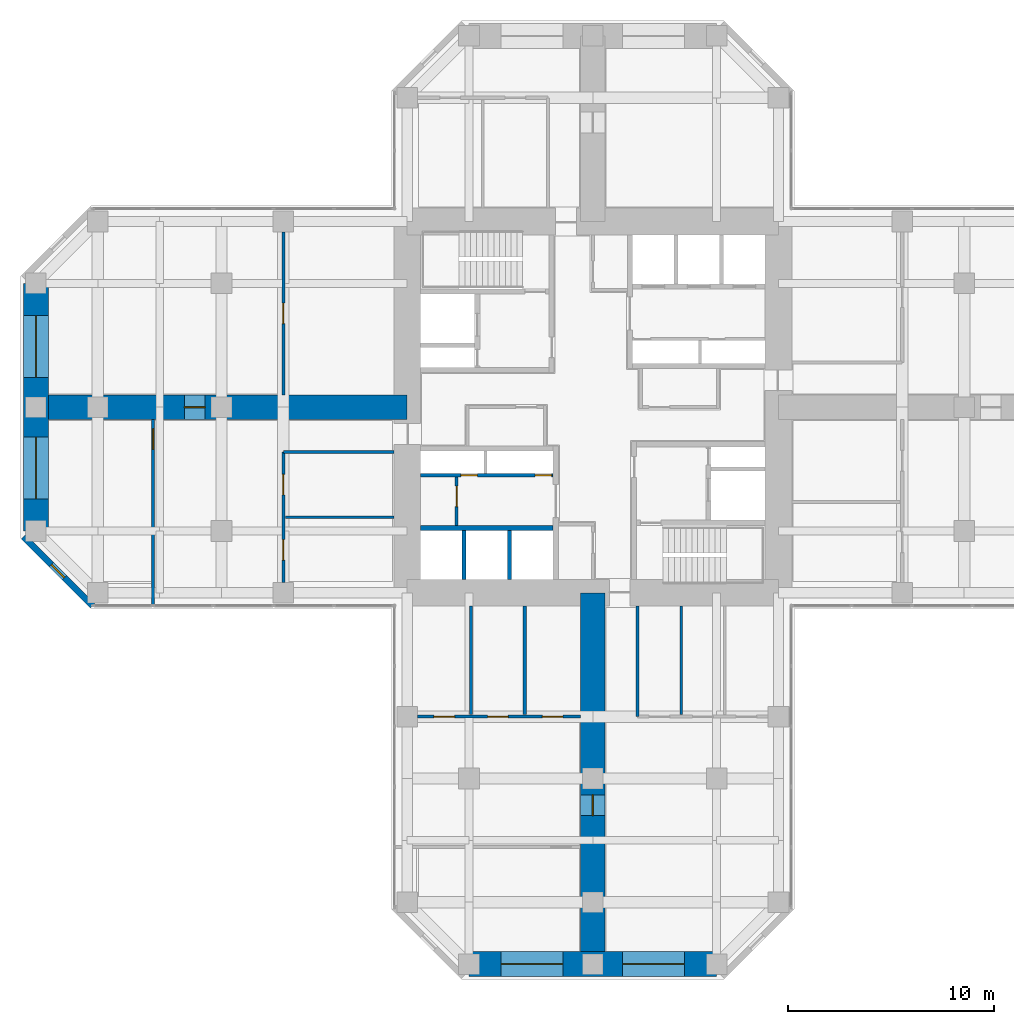
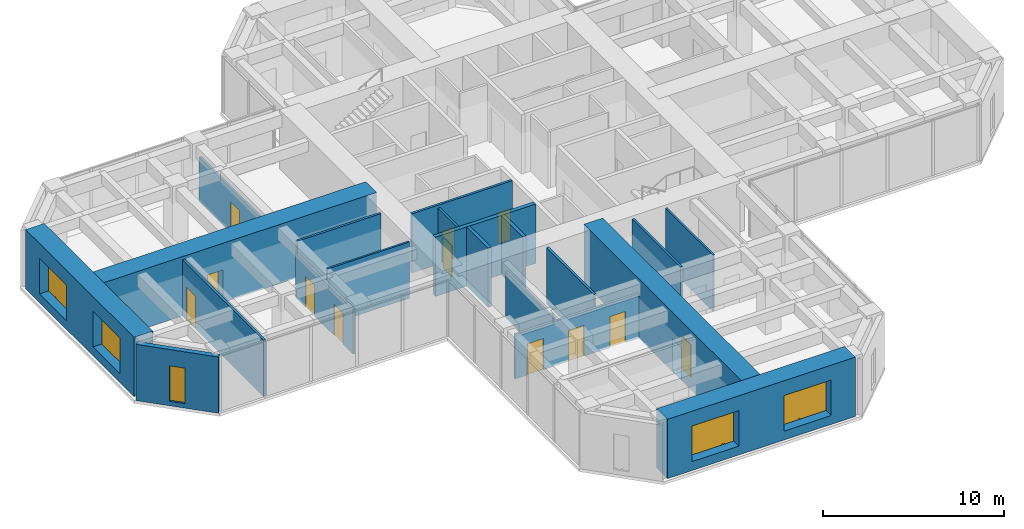
# One storey, part 8 of 12: 20 walls, 12 doors, 5 windows, 17 openings.
"""IFC4 building model written with IfcOpenShell, lengths in metres."""

from ifc_helpers import new_model, si_unit, direction, frame, frame_2d, origin, place, context, subcontext, project, spatial, rectangle, hollow_rectangle, extrude, material, layer, layer_set, constituent, constituent_set, type_object, element, fill, save


model = new_model("IFC4")

# Units and contexts
model_context = context("Model", 3, precision=1e-05, world=origin(), true_north=direction((0.0, 1.0)))
body_context = subcontext(model_context, "Body", "Model", "MODEL_VIEW")
ifc_project = project(units=[si_unit("LENGTHUNIT", "METRE"), si_unit("AREAUNIT", "SQUARE_METRE"), si_unit("VOLUMEUNIT", "CUBIC_METRE"), si_unit("PLANEANGLEUNIT", "RADIAN"), si_unit("MASSUNIT", "GRAM", prefix="KILO")], contexts=[model_context])

# Site, building, storey
site_placement = place(None, origin())
site = spatial("IfcSite", under=ifc_project, at=site_placement, CompositionType="ELEMENT")
building_placement = place(site_placement, origin())
building = spatial("IfcBuilding", under=site, at=building_placement, Name="Torre Cruceta", CompositionType="ELEMENT")
storey_placement = place(building_placement, frame((0.0, 0.0, 136.5)))
storey = spatial("IfcBuildingStorey", under=building, at=storey_placement, Name="L33", CompositionType="ELEMENT", Elevation=136.5)

# Wall
ifc_material_1 = material(Name="Concrete G60 (fck 60 MPa)", Category="concrete")
ifc_layer_1 = layer(ifc_material_1, 0.25)
ifc_layer_set_1 = layer_set([ifc_layer_1], Name="Concrete G60 (fck 60 MPa)")
wall_type_1 = type_object("IfcWallType", Name="CORE INNER WALL 250 G60", PredefinedType="SHEAR", material=ifc_layer_set_1)
wall_1_placement = place(storey_placement, frame((-1.925048828125, -5.85009765625, 0.0), z_axis=(0.0, 0.0, 1.0), x_axis=(-1.0, 0.0, 0.0)))
element("IfcWall", 1, at=wall_1_placement, inside=storey, type_object=wall_type_1, Name="CW4 L33 SW-LV", PredefinedType="SHEAR", context=body_context, shape_type="SweptSolid", body=[
    extrude(rectangle(XDim=6.425048828125, YDim=0.25, at=frame_2d((3.21240234375, 0.0))), origin(), (0.0, 0.0, 1.0), 4.0),
])

# Wall, opening, window
ifc_material_2 = material(Name="Concrete G30 (fck 30 MPa)", Category="concrete")
ifc_layer_2 = layer(ifc_material_2, 0.300048828125)
ifc_layer_set_2 = layer_set([ifc_layer_2], Name="Concrete G30 (fck 30 MPa)")
wall_type_2 = type_object("IfcWallType", Name="EXPOSED CONCRETE FACADE WALL 300", PredefinedType="SOLIDWALL", material=ifc_layer_set_2)
wall_2_placement = place(storey_placement, frame((-27.60009765625, -6.27685546875, 0.0), z_axis=(0.0, 0.0, 1.0), x_axis=(0.707106781187, -0.707106781187, 0.0)))
wall_2 = element("IfcWall", 2, at=wall_2_placement, inside=storey, type_object=wall_type_2, Name="EW1 facade wall L33 W chamfer 13", PredefinedType="SOLIDWALL", context=body_context, shape_type="SweptSolid", body=[
    extrude(rectangle(XDim=4.72802734375, YDim=0.300048828125, at=frame_2d((2.364013671875, 0.0))), origin(), (0.0, 0.0, 1.0), 3.800048828125),
])
opening_1_placement = place(wall_2_placement, frame((1.9140625, 0.0, 0.300048828125)))
opening_1 = element("IfcOpeningElement", 3, at=opening_1_placement, cuts=wall_2, Name="Opening WN5", PredefinedType="OPENING", context=body_context, shape_type="SweptSolid", body=[
    extrude(rectangle(XDim=0.89990234375, YDim=2.39990234375, at=frame_2d((0.449951171875, 1.199951171875))), frame((0.0, 0.159912109375, 0.0), z_axis=(0.0, -1.0, 0.0), x_axis=(1.0, 0.0, 0.0)), (0.0, 0.0, 1.0), 0.320068359375),
])
ifc_material_3 = material(Name="Aluminium window frame", Category="aluminium")
ifc_constituent_1 = constituent(ifc_material_3, Name="Frame")
ifc_material_4 = material(Name="Laminated insulating glass unit, low-iron clear", Category="glass")
ifc_constituent_2 = constituent(ifc_material_4, Name="Glazing")
ifc_constituent_set_1 = constituent_set(constituents=[ifc_constituent_1, ifc_constituent_2], Name="Aluminium window")
window_type_1 = type_object("IfcWindowType", Name="CHAMFER SLOT WINDOW 900X2400", PartitioningType="SINGLE_PANEL", PredefinedType="WINDOW", material=ifc_constituent_set_1)
window_1_placement = place(opening_1_placement, origin())
window_1 = element("IfcWindow", 4, at=window_1_placement, inside=storey, type_object=window_type_1, Name="WN5 L33 W 1", OverallHeight=2.39990234375, OverallWidth=0.89990234375, PartitioningType="SINGLE_PANEL", PredefinedType="WINDOW", context=body_context, shape_type="SweptSolid", body=[
    extrude(hollow_rectangle(XDim=0.89990234375, YDim=2.39990234375, WallThickness=0.06005859375, at=frame_2d((0.449951171875, 1.199951171875))), frame((0.0, 0.030029296875, 0.0), z_axis=(0.0, -1.0, 0.0), x_axis=(1.0, 0.0, 0.0)), (0.0, 0.0, 1.0), 0.06005859375),
    extrude(rectangle(XDim=0.77880859375, YDim=2.27880859375, at=frame_2d((0.449951171875, 1.199951171875))), frame((0.0, 0.030029296875, 0.0), z_axis=(0.0, -1.0, 0.0), x_axis=(1.0, 0.0, 0.0)), (0.0, 0.0, 1.0), 0.06005859375),
])
fill(opening_1, window_1)

# Walls
ifc_material_5 = material(Name="Concrete G35 (fck 35 MPa)", Category="concrete")
ifc_layer_3 = layer(ifc_material_5, 0.199951171875)
ifc_layer_set_3 = layer_set([ifc_layer_3], Name="Concrete G35 (fck 35 MPa)")
wall_type_3 = type_object("IfcWallType", Name="LIFT SHAFT WALL 200", PredefinedType="PARTITIONING", material=ifc_layer_set_3)
for number, where, z_axis, x_axis, name in (
    (5, (-4.033447265625, -5.97509765625, 0.0), (0.0, 0.0, 1.0), (0.0, -1.0, 0.0), "SW1 L33 SW-LS1"),
    (6, (-6.24169921875, -5.97509765625, 0.0), (0.0, 0.0, 1.0), (0.0, -1.0, 0.0), "SW1 L33 SW-LS2"),
):
    element("IfcWall", number, at=place(storey_placement, frame(where, z_axis=z_axis, x_axis=x_axis)), inside=storey, type_object=wall_type_3, Name=name, PredefinedType="PARTITIONING", context=body_context, shape_type="SweptSolid", body=[
        extrude(rectangle(XDim=2.375, YDim=0.199951171875, at=frame_2d((1.1875, 0.0))), origin(), (0.0, 0.0, 1.0), 4.0),
    ])

# Wall, openings, windows
ifc_material_6 = material(Name="Concrete G60 (fck 60 MPa)", Category="concrete")
ifc_layer_4 = layer(ifc_material_6, 1.199951171875)
ifc_layer_set_4 = layer_set([ifc_layer_4], Name="Concrete G60 (fck 60 MPa)")
wall_type_4 = type_object("IfcWallType", Name="NOSE WALL 1200 G60", PredefinedType="SHEAR", material=ifc_layer_set_4)
wall_3_placement = place(storey_placement, frame((-6.0, -27.0, 0.0), z_axis=(0.0, 0.0, 1.0), x_axis=(1.0, 0.0, 0.0)))
wall_3 = element("IfcWall", 7, at=wall_3_placement, inside=storey, type_object=wall_type_4, Name="NW1 nose wall L33 S", PredefinedType="SHEAR", context=body_context, shape_type="SweptSolid", body=[
    extrude(rectangle(XDim=12.0, YDim=1.199951171875, at=frame_2d((6.0, 0.0))), origin(), (0.0, 0.0, 1.0), 4.0),
])
opening_2_placement = place(wall_3_placement, frame((1.550048828125, 0.0, 0.60009765625)))
opening_2 = element("IfcOpeningElement", 8, at=opening_2_placement, cuts=wall_3, Name="Opening WN6", PredefinedType="OPENING", context=body_context, shape_type="SweptSolid", body=[
    extrude(rectangle(XDim=3.0, YDim=2.39990234375, at=frame_2d((1.5, 1.199951171875))), frame((0.0, 0.60986328125, 0.0), z_axis=(0.0, -1.0, 0.0), x_axis=(1.0, 0.0, 0.0)), (0.0, 0.0, 1.0), 1.219970703125),
])
opening_3_placement = place(wall_3_placement, frame((7.449951171875, 0.0, 0.60009765625)))
opening_3 = element("IfcOpeningElement", 9, at=opening_3_placement, cuts=wall_3, Name="Opening WN6", PredefinedType="OPENING", context=body_context, shape_type="SweptSolid", body=[
    extrude(rectangle(XDim=3.0, YDim=2.39990234375, at=frame_2d((1.5, 1.199951171875))), frame((0.0, 0.60986328125, 0.0), z_axis=(0.0, -1.0, 0.0), x_axis=(1.0, 0.0, 0.0)), (0.0, 0.0, 1.0), 1.219970703125),
])
ifc_material_7 = material(Name="Aluminium window frame", Category="aluminium")
ifc_constituent_3 = constituent(ifc_material_7, Name="Frame")
ifc_material_8 = material(Name="Laminated insulating glass unit, low-iron clear", Category="glass")
ifc_constituent_4 = constituent(ifc_material_8, Name="Glazing")
ifc_constituent_set_2 = constituent_set(constituents=[ifc_constituent_3, ifc_constituent_4], Name="Aluminium window")
window_type_2 = type_object("IfcWindowType", Name="NOSE WALL WINDOW 3000X2400", PartitioningType="SINGLE_PANEL", PredefinedType="WINDOW", material=ifc_constituent_set_2)
window_2_placement = place(opening_2_placement, origin())
window_2 = element("IfcWindow", 10, at=window_2_placement, inside=storey, type_object=window_type_2, Name="WN6 L33 S 1", OverallHeight=2.39990234375, OverallWidth=3.0, PartitioningType="SINGLE_PANEL", PredefinedType="WINDOW", context=body_context, shape_type="SweptSolid", body=[
    extrude(hollow_rectangle(XDim=3.0, YDim=2.39990234375, WallThickness=0.06005859375, at=frame_2d((1.5, 1.199951171875))), frame((0.0, 0.030029296875, 0.0), z_axis=(0.0, -1.0, 0.0), x_axis=(1.0, 0.0, 0.0)), (0.0, 0.0, 1.0), 0.06005859375),
    extrude(rectangle(XDim=2.87890625, YDim=2.27880859375, at=frame_2d((1.5, 1.199951171875))), frame((0.0, 0.030029296875, 0.0), z_axis=(0.0, -1.0, 0.0), x_axis=(1.0, 0.0, 0.0)), (0.0, 0.0, 1.0), 0.06005859375),
])
fill(opening_2, window_2)
window_3_placement = place(opening_3_placement, origin())
window_3 = element("IfcWindow", 11, at=window_3_placement, inside=storey, type_object=window_type_2, Name="WN6 L33 S 2", OverallHeight=2.39990234375, OverallWidth=3.0, PartitioningType="SINGLE_PANEL", PredefinedType="WINDOW", context=body_context, shape_type="SweptSolid", body=[
    extrude(hollow_rectangle(XDim=3.0, YDim=2.39990234375, WallThickness=0.06005859375, at=frame_2d((1.5, 1.199951171875))), frame((0.0, 0.030029296875, 0.0), z_axis=(0.0, -1.0, 0.0), x_axis=(1.0, 0.0, 0.0)), (0.0, 0.0, 1.0), 0.06005859375),
    extrude(rectangle(XDim=2.87890625, YDim=2.27880859375, at=frame_2d((1.5, 1.199951171875))), frame((0.0, 0.030029296875, 0.0), z_axis=(0.0, -1.0, 0.0), x_axis=(1.0, 0.0, 0.0)), (0.0, 0.0, 1.0), 0.06005859375),
])
fill(opening_3, window_3)

wall_4_placement = place(storey_placement, frame((-27.0, 6.0, 0.0), z_axis=(0.0, 0.0, 1.0), x_axis=(0.0, -1.0, 0.0)))
wall_4 = element("IfcWall", 12, at=wall_4_placement, inside=storey, type_object=wall_type_4, Name="NW1 nose wall L33 W", PredefinedType="SHEAR", context=body_context, shape_type="SweptSolid", body=[
    extrude(rectangle(XDim=12.0, YDim=1.199951171875, at=frame_2d((6.0, 0.0))), origin(), (0.0, 0.0, 1.0), 4.0),
])
opening_4_placement = place(wall_4_placement, frame((1.550048828125, 0.0, 0.60009765625)))
opening_4 = element("IfcOpeningElement", 13, at=opening_4_placement, cuts=wall_4, Name="Opening WN6", PredefinedType="OPENING", context=body_context, shape_type="SweptSolid", body=[
    extrude(rectangle(XDim=3.0, YDim=2.39990234375, at=frame_2d((1.5, 1.199951171875))), frame((0.0, 0.60986328125, 0.0), z_axis=(0.0, -1.0, 0.0), x_axis=(1.0, 0.0, 0.0)), (0.0, 0.0, 1.0), 1.219970703125),
])
opening_5_placement = place(wall_4_placement, frame((7.449951171875, 0.0, 0.60009765625)))
opening_5 = element("IfcOpeningElement", 14, at=opening_5_placement, cuts=wall_4, Name="Opening WN6", PredefinedType="OPENING", context=body_context, shape_type="SweptSolid", body=[
    extrude(rectangle(XDim=3.0, YDim=2.39990234375, at=frame_2d((1.5, 1.199951171875))), frame((0.0, 0.60986328125, 0.0), z_axis=(0.0, -1.0, 0.0), x_axis=(1.0, 0.0, 0.0)), (0.0, 0.0, 1.0), 1.219970703125),
])
window_4_placement = place(opening_4_placement, origin())
window_4 = element("IfcWindow", 15, at=window_4_placement, inside=storey, type_object=window_type_2, Name="WN6 L33 W 1", OverallHeight=2.39990234375, OverallWidth=3.0, PartitioningType="SINGLE_PANEL", PredefinedType="WINDOW", context=body_context, shape_type="SweptSolid", body=[
    extrude(hollow_rectangle(XDim=3.0, YDim=2.39990234375, WallThickness=0.06005859375, at=frame_2d((1.5, 1.199951171875))), frame((0.0, 0.030029296875, 0.0), z_axis=(0.0, -1.0, 0.0), x_axis=(1.0, 0.0, 0.0)), (0.0, 0.0, 1.0), 0.06005859375),
    extrude(rectangle(XDim=2.87890625, YDim=2.27880859375, at=frame_2d((1.5, 1.199951171875))), frame((0.0, 0.030029296875, 0.0), z_axis=(0.0, -1.0, 0.0), x_axis=(1.0, 0.0, 0.0)), (0.0, 0.0, 1.0), 0.06005859375),
])
fill(opening_4, window_4)
window_5_placement = place(opening_5_placement, origin())
window_5 = element("IfcWindow", 16, at=window_5_placement, inside=storey, type_object=window_type_2, Name="WN6 L33 W 2", OverallHeight=2.39990234375, OverallWidth=3.0, PartitioningType="SINGLE_PANEL", PredefinedType="WINDOW", context=body_context, shape_type="SweptSolid", body=[
    extrude(hollow_rectangle(XDim=3.0, YDim=2.39990234375, WallThickness=0.06005859375, at=frame_2d((1.5, 1.199951171875))), frame((0.0, 0.030029296875, 0.0), z_axis=(0.0, -1.0, 0.0), x_axis=(1.0, 0.0, 0.0)), (0.0, 0.0, 1.0), 0.06005859375),
    extrude(rectangle(XDim=2.87890625, YDim=2.27880859375, at=frame_2d((1.5, 1.199951171875))), frame((0.0, 0.030029296875, 0.0), z_axis=(0.0, -1.0, 0.0), x_axis=(1.0, 0.0, 0.0)), (0.0, 0.0, 1.0), 0.06005859375),
])
fill(opening_5, window_5)

# Wall, opening, door
ifc_material_9 = material(Name="Plasterboard on steel studs", Category="steel")
ifc_layer_5 = layer(ifc_material_9, 0.14990234375)
ifc_layer_set_5 = layer_set([ifc_layer_5], Name="Plasterboard on steel studs")
wall_type_5 = type_object("IfcWallType", Name="PARTITION 150", PredefinedType="PARTITIONING", material=ifc_layer_set_5)
wall_5_placement = place(storey_placement, frame((-6.60009765625, -3.375, 0.0), z_axis=(0.0, 0.0, 1.0), x_axis=(0.0, -1.0, 0.0)))
wall_5 = element("IfcWall", 17, at=wall_5_placement, inside=storey, type_object=wall_type_5, Name="PT1 L33-CORE-SW-X", PredefinedType="PARTITIONING", context=body_context, shape_type="SweptSolid", body=[
    extrude(rectangle(XDim=2.35009765625, YDim=0.14990234375, at=frame_2d((1.175048828125, 0.0))), origin(), (0.0, 0.0, 1.0), 3.800048828125),
])
opening_6_placement = place(wall_5_placement, frame((0.449951171875, 0.0, 0.0)))
opening_6 = element("IfcOpeningElement", 18, at=opening_6_placement, cuts=wall_5, Name="Opening D3", PredefinedType="OPENING", context=body_context, shape_type="SweptSolid", body=[
    extrude(rectangle(XDim=1.0, YDim=2.10009765625, at=frame_2d((0.5, 1.050048828125))), frame((0.0, 0.0849609375, 0.0), z_axis=(0.0, -1.0, 0.0), x_axis=(1.0, 0.0, 0.0)), (0.0, 0.0, 1.0), 0.169921875),
])
ifc_material_10 = material(Name="Steel DX51D", Category="steel")
ifc_constituent_5 = constituent(ifc_material_10, Name="Leaf and frame")
ifc_material_11 = material(Name="Polyester powder coating", Category="paint")
ifc_constituent_6 = constituent(ifc_material_11, Name="Finish")
ifc_constituent_set_3 = constituent_set(constituents=[ifc_constituent_5, ifc_constituent_6], Name="Steel fire door")
door_type_1 = type_object("IfcDoorType", Name="FIRE DOOR 1000X2100", OperationType="SINGLE_SWING_LEFT", PredefinedType="DOOR", material=ifc_constituent_set_3)
door_1_placement = place(opening_6_placement, frame((1.0, 0.0, 0.0), z_axis=(0.0, 0.0, 1.0), x_axis=(-1.0, 0.0, 0.0)))
door_1 = element("IfcDoor", 19, at=door_1_placement, inside=storey, type_object=door_type_1, Name="D3 L33-CORE-SW-X-D1", OperationType="SINGLE_SWING_RIGHT", OverallHeight=2.10009765625, OverallWidth=1.0, PredefinedType="DOOR", context=body_context, shape_type="SweptSolid", body=[
    extrude(rectangle(XDim=1.0, YDim=2.10009765625, at=frame_2d((0.5, 1.050048828125))), frame((0.0, 0.025146484375, 0.0), z_axis=(0.0, -1.0, 0.0), x_axis=(1.0, 0.0, 0.0)), (0.0, 0.0, 1.0), 0.050048828125),
])
fill(opening_6, door_1)

# Wall
wall_6_placement = place(storey_placement, frame((2.175048828125, -9.64990234375, 0.0), z_axis=(0.0, 0.0, 1.0), x_axis=(0.0, -1.0, 0.0)))
element("IfcWall", 20, at=wall_6_placement, inside=storey, type_object=wall_type_5, Name="PT1 L33-S-BSL", PredefinedType="PARTITIONING", context=body_context, shape_type="SweptSolid", body=[
    extrude(rectangle(XDim=5.35009765625, YDim=0.14990234375, at=frame_2d((2.675048828125, 0.0))), origin(), (0.0, 0.0, 1.0), 3.800048828125),
])

# Wall, openings, doors
wall_7_placement = place(storey_placement, frame((-8.5, -15.0, 0.0), z_axis=(0.0, 0.0, 1.0), x_axis=(1.0, 0.0, 0.0)))
wall_7 = element("IfcWall", 21, at=wall_7_placement, inside=storey, type_object=wall_type_5, Name="PT1 L33-S-BFR", PredefinedType="PARTITIONING", context=body_context, shape_type="SweptSolid", body=[
    extrude(rectangle(XDim=7.89990234375, YDim=0.14990234375, at=frame_2d((3.949951171875, 0.0))), origin(), (0.0, 0.0, 1.0), 3.0),
])
opening_7_placement = place(wall_7_placement, frame((0.800048828125, 0.0, 0.0)))
opening_7 = element("IfcOpeningElement", 22, at=opening_7_placement, cuts=wall_7, Name="Opening D3", PredefinedType="OPENING", context=body_context, shape_type="SweptSolid", body=[
    extrude(rectangle(XDim=1.0, YDim=2.10009765625, at=frame_2d((0.5, 1.050048828125))), frame((0.0, 0.0849609375, 0.0), z_axis=(0.0, -1.0, 0.0), x_axis=(1.0, 0.0, 0.0)), (0.0, 0.0, 1.0), 0.169921875),
])
opening_8_placement = place(wall_7_placement, frame((3.39990234375, 0.0, 0.0)))
opening_8 = element("IfcOpeningElement", 23, at=opening_8_placement, cuts=wall_7, Name="Opening D3", PredefinedType="OPENING", context=body_context, shape_type="SweptSolid", body=[
    extrude(rectangle(XDim=1.0, YDim=2.10009765625, at=frame_2d((0.5, 1.050048828125))), frame((0.0, 0.0849609375, 0.0), z_axis=(0.0, -1.0, 0.0), x_axis=(1.0, 0.0, 0.0)), (0.0, 0.0, 1.0), 0.169921875),
])
opening_9_placement = place(wall_7_placement, frame((6.050048828125, 0.0, 0.0)))
opening_9 = element("IfcOpeningElement", 24, at=opening_9_placement, cuts=wall_7, Name="Opening D3", PredefinedType="OPENING", context=body_context, shape_type="SweptSolid", body=[
    extrude(rectangle(XDim=1.0, YDim=2.10009765625, at=frame_2d((0.5, 1.050048828125))), frame((0.0, 0.0849609375, 0.0), z_axis=(0.0, -1.0, 0.0), x_axis=(1.0, 0.0, 0.0)), (0.0, 0.0, 1.0), 0.169921875),
])
door_2_placement = place(opening_7_placement, origin())
door_2 = element("IfcDoor", 25, at=door_2_placement, inside=storey, type_object=door_type_1, Name="D3 L33-S-BFR-D1", OperationType="SINGLE_SWING_RIGHT", OverallHeight=2.10009765625, OverallWidth=1.0, PredefinedType="DOOR", context=body_context, shape_type="SweptSolid", body=[
    extrude(rectangle(XDim=1.0, YDim=2.10009765625, at=frame_2d((0.5, 1.050048828125))), frame((0.0, 0.02490234375, 0.0), z_axis=(0.0, -1.0, 0.0), x_axis=(1.0, 0.0, 0.0)), (0.0, 0.0, 1.0), 0.050048828125),
])
fill(opening_7, door_2)
door_3_placement = place(opening_8_placement, origin())
door_3 = element("IfcDoor", 26, at=door_3_placement, inside=storey, type_object=door_type_1, Name="D3 L33-S-BFR-D2", OperationType="SINGLE_SWING_LEFT", OverallHeight=2.10009765625, OverallWidth=1.0, PredefinedType="DOOR", context=body_context, shape_type="SweptSolid", body=[
    extrude(rectangle(XDim=1.0, YDim=2.10009765625, at=frame_2d((0.5, 1.050048828125))), frame((0.0, 0.02490234375, 0.0), z_axis=(0.0, -1.0, 0.0), x_axis=(1.0, 0.0, 0.0)), (0.0, 0.0, 1.0), 0.050048828125),
])
fill(opening_8, door_3)
door_4_placement = place(opening_9_placement, origin())
door_4 = element("IfcDoor", 27, at=door_4_placement, inside=storey, type_object=door_type_1, Name="D3 L33-S-BFR-D3", OperationType="SINGLE_SWING_LEFT", OverallHeight=2.10009765625, OverallWidth=1.0, PredefinedType="DOOR", context=body_context, shape_type="SweptSolid", body=[
    extrude(rectangle(XDim=1.0, YDim=2.10009765625, at=frame_2d((0.5, 1.050048828125))), frame((0.0, 0.02490234375, 0.0), z_axis=(0.0, -1.0, 0.0), x_axis=(1.0, 0.0, 0.0)), (0.0, 0.0, 1.0), 0.050048828125),
])
fill(opening_9, door_4)

# Walls
wall_8_placement = place(storey_placement, frame((-3.300048828125, -9.64990234375, 0.0), z_axis=(0.0, 0.0, 1.0), x_axis=(0.0, -1.0, 0.0)))
element("IfcWall", 28, at=wall_8_placement, inside=storey, type_object=wall_type_5, Name="PT1 L33-S-BDR1", PredefinedType="PARTITIONING", context=body_context, shape_type="SweptSolid", body=[
    extrude(rectangle(XDim=5.25, YDim=0.14990234375, at=frame_2d((2.625, 0.0))), origin(), (0.0, 0.0, 1.0), 3.800048828125),
])
wall_9_placement = place(storey_placement, frame((-5.89990234375, -9.64990234375, 0.0), z_axis=(0.0, 0.0, 1.0), x_axis=(0.0, -1.0, 0.0)))
element("IfcWall", 29, at=wall_9_placement, inside=storey, type_object=wall_type_5, Name="PT1 L33-S-BDR2", PredefinedType="PARTITIONING", context=body_context, shape_type="SweptSolid", body=[
    extrude(rectangle(XDim=5.25, YDim=0.14990234375, at=frame_2d((2.625, 0.0))), origin(), (0.0, 0.0, 1.0), 3.10009765625),
])

# Wall, openings, doors
wall_10_placement = place(storey_placement, frame((-15.0, -2.175048828125, 0.0), z_axis=(0.0, 0.0, 1.0), x_axis=(0.0, -1.0, 0.0)))
wall_10 = element("IfcWall", 30, at=wall_10_placement, inside=storey, type_object=wall_type_5, Name="PT1 L33-W-BFL", PredefinedType="PARTITIONING", context=body_context, shape_type="SweptSolid", body=[
    extrude(rectangle(XDim=6.324951171875, YDim=0.14990234375, at=frame_2d((3.16259765625, 0.0))), origin(), (0.0, 0.0, 1.0), 3.0),
])
opening_10_placement = place(wall_10_placement, frame((1.081298828125, 0.0, 0.0)))
opening_10 = element("IfcOpeningElement", 31, at=opening_10_placement, cuts=wall_10, Name="Opening D3", PredefinedType="OPENING", context=body_context, shape_type="SweptSolid", body=[
    extrude(rectangle(XDim=1.0, YDim=2.10009765625, at=frame_2d((0.5, 1.050048828125))), frame((0.0, 0.0849609375, 0.0), z_axis=(0.0, -1.0, 0.0), x_axis=(1.0, 0.0, 0.0)), (0.0, 0.0, 1.0), 0.169921875),
])
opening_11_placement = place(wall_10_placement, frame((4.243896484375, 0.0, 0.0)))
opening_11 = element("IfcOpeningElement", 32, at=opening_11_placement, cuts=wall_10, Name="Opening D3", PredefinedType="OPENING", context=body_context, shape_type="SweptSolid", body=[
    extrude(rectangle(XDim=1.0, YDim=2.10009765625, at=frame_2d((0.5, 1.050048828125))), frame((0.0, 0.0849609375, 0.0), z_axis=(0.0, -1.0, 0.0), x_axis=(1.0, 0.0, 0.0)), (0.0, 0.0, 1.0), 0.169921875),
])
door_5_placement = place(opening_10_placement, origin())
door_5 = element("IfcDoor", 33, at=door_5_placement, inside=storey, type_object=door_type_1, Name="D3 L33-W-BFL-D1", OperationType="SINGLE_SWING_LEFT", OverallHeight=2.10009765625, OverallWidth=1.0, PredefinedType="DOOR", context=body_context, shape_type="SweptSolid", body=[
    extrude(rectangle(XDim=1.0, YDim=2.10009765625, at=frame_2d((0.5, 1.050048828125))), frame((0.0, 0.02490234375, 0.0), z_axis=(0.0, -1.0, 0.0), x_axis=(1.0, 0.0, 0.0)), (0.0, 0.0, 1.0), 0.050048828125),
])
fill(opening_10, door_5)
door_6_placement = place(opening_11_placement, origin())
door_6 = element("IfcDoor", 34, at=door_6_placement, inside=storey, type_object=door_type_1, Name="D3 L33-W-BFL-D2", OperationType="SINGLE_SWING_LEFT", OverallHeight=2.10009765625, OverallWidth=1.0, PredefinedType="DOOR", context=body_context, shape_type="SweptSolid", body=[
    extrude(rectangle(XDim=1.0, YDim=2.10009765625, at=frame_2d((0.5, 1.050048828125))), frame((0.0, 0.02490234375, 0.0), z_axis=(0.0, -1.0, 0.0), x_axis=(1.0, 0.0, 0.0)), (0.0, 0.0, 1.0), 0.050048828125),
])
fill(opening_11, door_6)

# Wall
wall_11_placement = place(storey_placement, frame((-9.64990234375, -2.175048828125, 0.0), z_axis=(0.0, 0.0, 1.0), x_axis=(-1.0, 0.0, 0.0)))
element("IfcWall", 35, at=wall_11_placement, inside=storey, type_object=wall_type_5, Name="PT1 L33-W-BSL", PredefinedType="PARTITIONING", context=body_context, shape_type="SweptSolid", body=[
    extrude(rectangle(XDim=5.35009765625, YDim=0.14990234375, at=frame_2d((2.675048828125, 0.0))), origin(), (0.0, 0.0, 1.0), 3.800048828125),
])

# Wall, opening, door
wall_12_placement = place(storey_placement, frame((-15.0, 8.5, 0.0), z_axis=(0.0, 0.0, 1.0), x_axis=(0.0, -1.0, 0.0)))
wall_12 = element("IfcWall", 36, at=wall_12_placement, inside=storey, type_object=wall_type_5, Name="PT1 L33-W-BFR", PredefinedType="PARTITIONING", context=body_context, shape_type="SweptSolid", body=[
    extrude(rectangle(XDim=7.89990234375, YDim=0.14990234375, at=frame_2d((3.949951171875, 0.0))), origin(), (0.0, 0.0, 1.0), 3.0),
])
opening_12_placement = place(wall_12_placement, frame((3.449951171875, 0.0, 0.0)))
opening_12 = element("IfcOpeningElement", 37, at=opening_12_placement, cuts=wall_12, Name="Opening D3", PredefinedType="OPENING", context=body_context, shape_type="SweptSolid", body=[
    extrude(rectangle(XDim=1.0, YDim=2.10009765625, at=frame_2d((0.5, 1.050048828125))), frame((0.0, 0.0849609375, 0.0), z_axis=(0.0, -1.0, 0.0), x_axis=(1.0, 0.0, 0.0)), (0.0, 0.0, 1.0), 0.169921875),
])
door_7_placement = place(opening_12_placement, origin())
door_7 = element("IfcDoor", 38, at=door_7_placement, inside=storey, type_object=door_type_1, Name="D3 L33-W-BFR-D1", OperationType="SINGLE_SWING_RIGHT", OverallHeight=2.10009765625, OverallWidth=1.0, PredefinedType="DOOR", context=body_context, shape_type="SweptSolid", body=[
    extrude(rectangle(XDim=1.0, YDim=2.10009765625, at=frame_2d((0.5, 1.050048828125))), frame((0.0, 0.02490234375, 0.0), z_axis=(0.0, -1.0, 0.0), x_axis=(1.0, 0.0, 0.0)), (0.0, 0.0, 1.0), 0.050048828125),
])
fill(opening_12, door_7)

wall_13_placement = place(storey_placement, frame((-21.320068359375, -0.60009765625, 0.0), z_axis=(0.0, 0.0, 1.0), x_axis=(0.0, -1.0, 0.0)))
wall_13 = element("IfcWall", 39, at=wall_13_placement, inside=storey, type_object=wall_type_5, Name="PT1 L33-W-TWL", PredefinedType="PARTITIONING", context=body_context, shape_type="SweptSolid", body=[
    extrude(rectangle(XDim=8.97998046875, YDim=0.14990234375, at=frame_2d((4.489990234375, 0.0))), origin(), (0.0, 0.0, 1.0), 3.800048828125),
])
opening_13_placement = place(wall_13_placement, frame((0.449951171875, 0.0, 0.0)))
opening_13 = element("IfcOpeningElement", 40, at=opening_13_placement, cuts=wall_13, Name="Opening D14", PredefinedType="OPENING", context=body_context, shape_type="SweptSolid", body=[
    extrude(rectangle(XDim=1.0, YDim=2.199951171875, at=frame_2d((0.5, 1.10009765625))), frame((0.0, 0.0849609375, 0.0), z_axis=(0.0, -1.0, 0.0), x_axis=(1.0, 0.0, 0.0)), (0.0, 0.0, 1.0), 0.169921875),
])
ifc_material_12 = material(Name="Steel DX51D", Category="steel")
ifc_constituent_7 = constituent(ifc_material_12, Name="Leaf and frame")
ifc_material_13 = material(Name="Polyester powder coating", Category="paint")
ifc_constituent_8 = constituent(ifc_material_13, Name="Finish")
ifc_material_14 = material(Name="Fire-resisting glass", Category="glass")
ifc_constituent_9 = constituent(ifc_material_14, Name="Vision panel")
ifc_constituent_set_4 = constituent_set(constituents=[ifc_constituent_7, ifc_constituent_8, ifc_constituent_9], Name="Steel fire door with vision panel")
door_type_2 = type_object("IfcDoorType", Name="FIRE DOOR VISION PANEL 1000X2200", OperationType="SINGLE_SWING_RIGHT", PredefinedType="DOOR", material=ifc_constituent_set_4)
door_8_placement = place(opening_13_placement, frame((1.0, 0.0, 0.0), z_axis=(0.0, 0.0, 1.0), x_axis=(-1.0, 0.0, 0.0)))
door_8 = element("IfcDoor", 41, at=door_8_placement, inside=storey, type_object=door_type_2, Name="D14 L33-W-TWL-D1", OperationType="SINGLE_SWING_RIGHT", OverallHeight=2.199951171875, OverallWidth=1.0, PredefinedType="DOOR", context=body_context, shape_type="SweptSolid", body=[
    extrude(rectangle(XDim=1.0, YDim=2.199951171875, at=frame_2d((0.5, 1.10009765625))), frame((0.0, 0.025146484375, 0.0), z_axis=(0.0, -1.0, 0.0), x_axis=(1.0, 0.0, 0.0)), (0.0, 0.0, 1.0), 0.050048828125),
])
fill(opening_13, door_8)

# Wall, openings, doors
ifc_material_15 = material(Name="Concrete block masonry", Category="masonry")
ifc_layer_6 = layer(ifc_material_15, 0.14990234375)
ifc_layer_set_6 = layer_set([ifc_layer_6], Name="Concrete block masonry")
wall_type_6 = type_object("IfcWallType", Name="RISER WALL 150", PredefinedType="PARTITIONING", material=ifc_layer_set_6)
wall_14_placement = place(storey_placement, frame((-1.925048828125, -3.300048828125, 0.0), z_axis=(0.0, 0.0, 1.0), x_axis=(-1.0, 0.0, 0.0)))
wall_14 = element("IfcWall", 42, at=wall_14_placement, inside=storey, type_object=wall_type_6, Name="SW7 L33 SW-RV", PredefinedType="PARTITIONING", context=body_context, shape_type="SweptSolid", body=[
    extrude(rectangle(XDim=6.425048828125, YDim=0.14990234375, at=frame_2d((3.21240234375, 0.0))), origin(), (0.0, 0.0, 1.0), 4.0),
])
opening_14_placement = place(wall_14_placement, frame((0.074951171875, 0.0, 0.0)))
opening_14 = element("IfcOpeningElement", 43, at=opening_14_placement, cuts=wall_14, Name="Opening D5", PredefinedType="OPENING", context=body_context, shape_type="SweptSolid", body=[
    extrude(rectangle(XDim=0.800048828125, YDim=2.10009765625, at=frame_2d((0.39990234375, 1.050048828125))), frame((0.0, 0.0849609375, 0.0), z_axis=(0.0, -1.0, 0.0), x_axis=(1.0, 0.0, 0.0)), (0.0, 0.0, 1.0), 0.169921875),
])
opening_15_placement = place(wall_14_placement, frame((3.675048828125, 0.0, 0.0)))
opening_15 = element("IfcOpeningElement", 44, at=opening_15_placement, cuts=wall_14, Name="Opening D5", PredefinedType="OPENING", context=body_context, shape_type="SweptSolid", body=[
    extrude(rectangle(XDim=0.800048828125, YDim=2.10009765625, at=frame_2d((0.39990234375, 1.050048828125))), frame((0.0, 0.0849609375, 0.0), z_axis=(0.0, -1.0, 0.0), x_axis=(1.0, 0.0, 0.0)), (0.0, 0.0, 1.0), 0.169921875),
])
ifc_material_16 = material(Name="Steel DX51D", Category="steel")
ifc_constituent_10 = constituent(ifc_material_16, Name="Leaf and frame")
ifc_material_17 = material(Name="Polyester powder coating", Category="paint")
ifc_constituent_11 = constituent(ifc_material_17, Name="Finish")
ifc_constituent_set_5 = constituent_set(constituents=[ifc_constituent_10, ifc_constituent_11], Name="Steel fire door")
door_type_3 = type_object("IfcDoorType", Name="RISER ACCESS DOOR 800X2100", OperationType="SINGLE_SWING_LEFT", PredefinedType="DOOR", material=ifc_constituent_set_5)
door_9_placement = place(opening_14_placement, frame((0.800048828125, 0.0, 0.0), z_axis=(0.0, 0.0, 1.0), x_axis=(-1.0, 0.0, 0.0)))
door_9 = element("IfcDoor", 45, at=door_9_placement, inside=storey, type_object=door_type_3, Name="D5 L33 SW-RISER1", OperationType="SINGLE_SWING_RIGHT", OverallHeight=2.10009765625, OverallWidth=0.800048828125, PredefinedType="DOOR", context=body_context, shape_type="SweptSolid", body=[
    extrude(rectangle(XDim=0.800048828125, YDim=2.10009765625, at=frame_2d((0.400146484375, 1.050048828125))), frame((0.0, 0.025146484375, 0.0), z_axis=(0.0, -1.0, 0.0), x_axis=(1.0, 0.0, 0.0)), (0.0, 0.0, 1.0), 0.050048828125),
])
fill(opening_14, door_9)
door_10_placement = place(opening_15_placement, frame((0.800048828125, 0.0, 0.0), z_axis=(0.0, 0.0, 1.0), x_axis=(-1.0, 0.0, 0.0)))
door_10 = element("IfcDoor", 46, at=door_10_placement, inside=storey, type_object=door_type_3, Name="D5 L33 SW-RISER2", OperationType="SINGLE_SWING_RIGHT", OverallHeight=2.10009765625, OverallWidth=0.800048828125, PredefinedType="DOOR", context=body_context, shape_type="SweptSolid", body=[
    extrude(rectangle(XDim=0.800048828125, YDim=2.10009765625, at=frame_2d((0.400146484375, 1.050048828125))), frame((0.0, 0.025146484375, 0.0), z_axis=(0.0, -1.0, 0.0), x_axis=(1.0, 0.0, 0.0)), (0.0, 0.0, 1.0), 0.050048828125),
])
fill(opening_15, door_10)

# Wall, opening, door
ifc_material_18 = material(Name="Concrete G60 (fck 60 MPa)", Category="concrete")
ifc_layer_7 = layer(ifc_material_18, 1.199951171875)
ifc_layer_set_7 = layer_set([ifc_layer_7], Name="Concrete G60 (fck 60 MPa)")
wall_type_7 = type_object("IfcWallType", Name="SPINE WALL 1200 G60", PredefinedType="SHEAR", material=ifc_layer_set_7)
wall_15_placement = place(storey_placement, frame((0.0, -9.0, 0.0), z_axis=(0.0, 0.0, 1.0), x_axis=(0.0, -1.0, 0.0)))
wall_15 = element("IfcWall", 47, at=wall_15_placement, inside=storey, type_object=wall_type_7, Name="SW3 spine wall L33 S", PredefinedType="SHEAR", context=body_context, shape_type="SweptSolid", body=[
    extrude(rectangle(XDim=18.0, YDim=1.199951171875, at=frame_2d((9.0, 0.0))), origin(), (0.0, 0.0, 1.0), 4.0),
])
opening_16_placement = place(wall_15_placement, frame((9.800048828125, 0.0, 0.0)))
opening_16 = element("IfcOpeningElement", 48, at=opening_16_placement, cuts=wall_15, Name="Opening D14", PredefinedType="OPENING", context=body_context, shape_type="SweptSolid", body=[
    extrude(rectangle(XDim=1.0, YDim=2.199951171875, at=frame_2d((0.5, 1.10009765625))), frame((0.0, 0.60986328125, 0.0), z_axis=(0.0, -1.0, 0.0), x_axis=(1.0, 0.0, 0.0)), (0.0, 0.0, 1.0), 1.219970703125),
])
door_11_placement = place(opening_16_placement, frame((1.0, 0.0, 0.0), z_axis=(0.0, 0.0, 1.0), x_axis=(-1.0, 0.0, 0.0)))
door_11 = element("IfcDoor", 49, at=door_11_placement, inside=storey, type_object=door_type_2, Name="D14 L33-S-SP1", OperationType="SINGLE_SWING_LEFT", OverallHeight=2.199951171875, OverallWidth=1.0, PredefinedType="DOOR", context=body_context, shape_type="SweptSolid", body=[
    extrude(rectangle(XDim=1.0, YDim=2.199951171875, at=frame_2d((0.5, 1.10009765625))), frame((0.0, 0.025146484375, 0.0), z_axis=(0.0, -1.0, 0.0), x_axis=(1.0, 0.0, 0.0)), (0.0, 0.0, 1.0), 0.050048828125),
])
fill(opening_16, door_11)

wall_16_placement = place(storey_placement, frame((-9.0, 0.0, 0.0), z_axis=(0.0, 0.0, 1.0), x_axis=(-1.0, 0.0, 0.0)))
wall_16 = element("IfcWall", 50, at=wall_16_placement, inside=storey, type_object=wall_type_7, Name="SW3 spine wall L33 W", PredefinedType="SHEAR", context=body_context, shape_type="SweptSolid", body=[
    extrude(rectangle(XDim=18.0, YDim=1.199951171875, at=frame_2d((9.0, 0.0))), origin(), (0.0, 0.0, 1.0), 4.0),
])
opening_17_placement = place(wall_16_placement, frame((9.800048828125, 0.0, 0.0)))
opening_17 = element("IfcOpeningElement", 51, at=opening_17_placement, cuts=wall_16, Name="Opening D14", PredefinedType="OPENING", context=body_context, shape_type="SweptSolid", body=[
    extrude(rectangle(XDim=1.0, YDim=2.199951171875, at=frame_2d((0.5, 1.10009765625))), frame((0.0, 0.60986328125, 0.0), z_axis=(0.0, -1.0, 0.0), x_axis=(1.0, 0.0, 0.0)), (0.0, 0.0, 1.0), 1.219970703125),
])
door_12_placement = place(opening_17_placement, origin())
door_12 = element("IfcDoor", 52, at=door_12_placement, inside=storey, type_object=door_type_2, Name="D14 L33-W-SP1", OperationType="SINGLE_SWING_RIGHT", OverallHeight=2.199951171875, OverallWidth=1.0, PredefinedType="DOOR", context=body_context, shape_type="SweptSolid", body=[
    extrude(rectangle(XDim=1.0, YDim=2.199951171875, at=frame_2d((0.5, 1.10009765625))), frame((0.0, 0.02490234375, 0.0), z_axis=(0.0, -1.0, 0.0), x_axis=(1.0, 0.0, 0.0)), (0.0, 0.0, 1.0), 0.050048828125),
])
fill(opening_17, door_12)

# Walls
ifc_material_19 = material(Name="Plasterboard on steel studs", Category="steel")
ifc_layer_8 = layer(ifc_material_19, 0.1201171875)
ifc_layer_set_8 = layer_set([ifc_layer_8], Name="Plasterboard on steel studs")
wall_type_8 = type_object("IfcWallType", Name="WC PARTITION 120", PredefinedType="PLUMBINGWALL", material=ifc_layer_set_8)
for number, where, z_axis, x_axis, name in (
    (53, (4.283447265625, -9.64990234375, 0.0), (0.0, 0.0, 1.0), (0.0, -1.0, 0.0), "PT5 L33-S-BDL1"),
    (54, (-9.64990234375, -5.33740234375, 0.0), (0.0, 0.0, 1.0), (-1.0, 0.0, 0.0), "PT5 L33-W-BDL1"),
):
    element("IfcWall", number, at=place(storey_placement, frame(where, z_axis=z_axis, x_axis=x_axis)), inside=storey, type_object=wall_type_8, Name=name, PredefinedType="PLUMBINGWALL", context=body_context, shape_type="SweptSolid", body=[
        extrude(rectangle(XDim=5.25, YDim=0.1201171875, at=frame_2d((2.625, 0.0))), origin(), (0.0, 0.0, 1.0), 3.800048828125),
    ])

save(model, "model.ifc")
